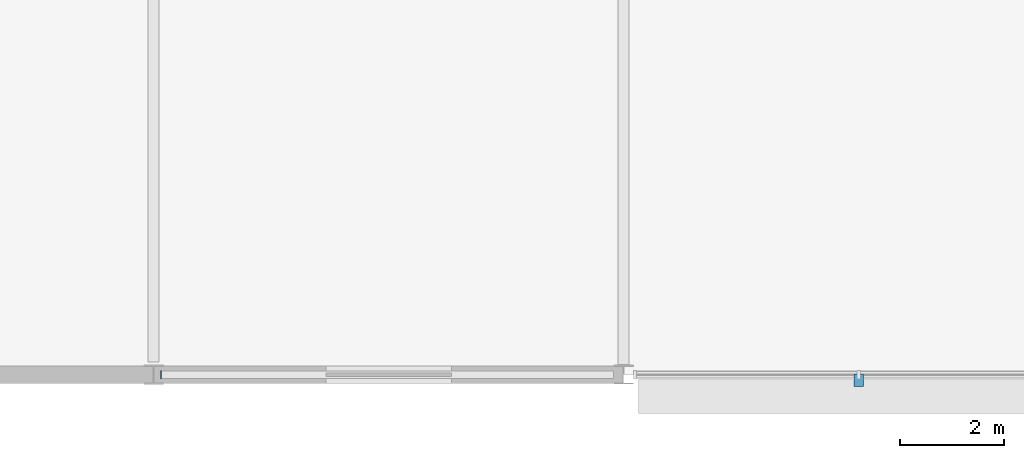
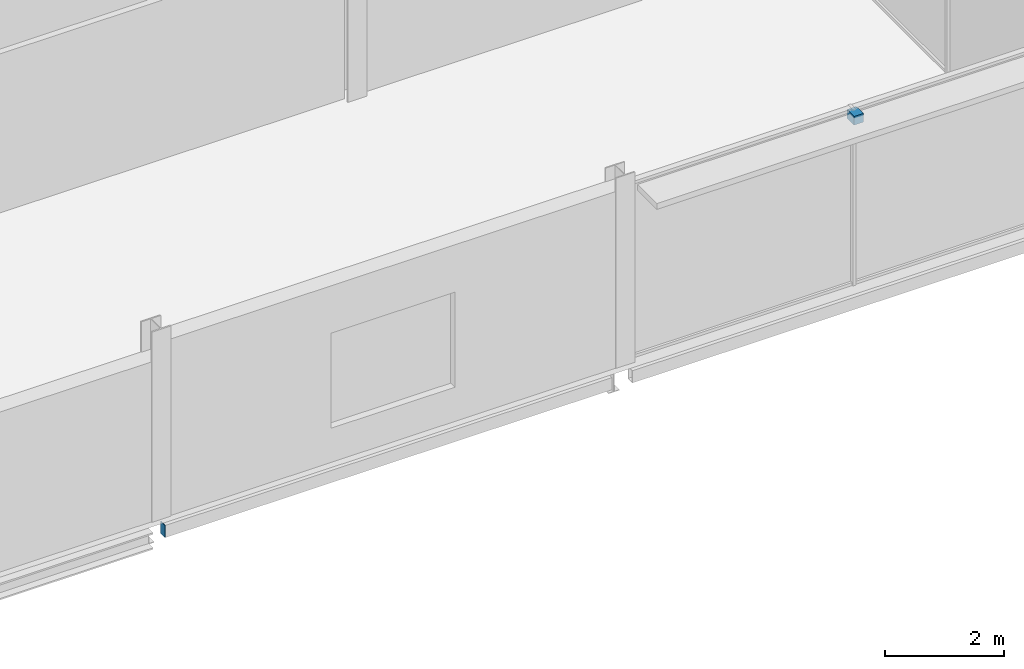
# One storey, part 70 of 98: 2 discrete accessories.
"""IFC4 building model written with IfcOpenShell, lengths in metres."""

from ifc_helpers import new_model, si_unit, direction, frame, origin, origin_2d, place, context, subcontext, project, spatial, polyline, rectangle, outline, extrude, material, layer, layer_set, type_object, element, save


model = new_model("IFC4")

# Units and contexts
model_context = context("Model", 3, precision=1e-05, world=origin(), true_north=direction((0.0, 1.0)))
body_context = subcontext(model_context, "Body", "Model", "MODEL_VIEW")
ifc_project = project(units=[si_unit("LENGTHUNIT", "METRE"), si_unit("AREAUNIT", "SQUARE_METRE"), si_unit("VOLUMEUNIT", "CUBIC_METRE"), si_unit("PLANEANGLEUNIT", "RADIAN"), si_unit("MASSUNIT", "GRAM", prefix="KILO")], contexts=[model_context])

# Site, building, storey
site_placement = place(None, origin())
site = spatial("IfcSite", under=ifc_project, at=site_placement, CompositionType="ELEMENT")
building_placement = place(site_placement, origin())
building = spatial("IfcBuilding", under=site, at=building_placement, Name="Kisiwana Market Hall", CompositionType="ELEMENT")
storey_placement = place(building_placement, frame((0.0, 0.0, 29.39990234375)))
storey = spatial("IfcBuildingStorey", under=building, at=storey_placement, Name="L06", CompositionType="ELEMENT", Elevation=29.39990234375)

# Discrete accessories
ifc_material_1 = material(Name="Steel S355", Category="steel")
discrete_accessory_type_1 = type_object("IfcDiscreteAccessoryType", Name="ACC-BRACKET-STL", PredefinedType="BRACKET", material=ifc_material_1)
discrete_accessory_1_placement = place(storey_placement, frame((40.5, 8.889892578125, 3.41015625), z_axis=(0.0, 0.0, 1.0), x_axis=(1.0, 0.0, 0.0)))
element("IfcDiscreteAccessory", 1, at=discrete_accessory_1_placement, inside=storey, type_object=discrete_accessory_type_1, Name="Sunshade steel bracket BRK-101", PredefinedType="BRACKET", context=body_context, shape_type="SweptSolid", body=[
    extrude(rectangle(XDim=0.179931640625, YDim=0.239990234375, at=origin_2d()), origin(), (0.0, 0.0, 1.0), 0.179931640625),
])
ifc_material_2 = material(Name="Steel S355", Category="steel")
ifc_layer = layer(ifc_material_2, 0.011962890625)
ifc_layer_set = layer_set([ifc_layer], Name="ACC-ENDCAP-STL")
discrete_accessory_type_2 = type_object("IfcDiscreteAccessoryType", Name="ACC-ENDCAP-STL", PredefinedType="USERDEFINED", material=ifc_layer_set)
discrete_accessory_2_placement = place(storey_placement, frame((0.0, 0.0, -0.494873046875)))
element("IfcDiscreteAccessory", 2, at=discrete_accessory_2_placement, inside=storey, type_object=discrete_accessory_type_2, Name="End cap plate EC-0085", ObjectType="End cap plate", PredefinedType="USERDEFINED", context=body_context, shape_type="SweptSolid", body=[
    extrude(outline(polyline([(27.14599609375, 8.925048828125), (27.14599609375, 9.074951171875), (27.134033203125, 9.074951171875), (27.134033203125, 8.925048828125), (27.14599609375, 8.925048828125)])), origin(), (0.0, 0.0, 1.0), 0.25),
])

save(model, "model.ifc")
